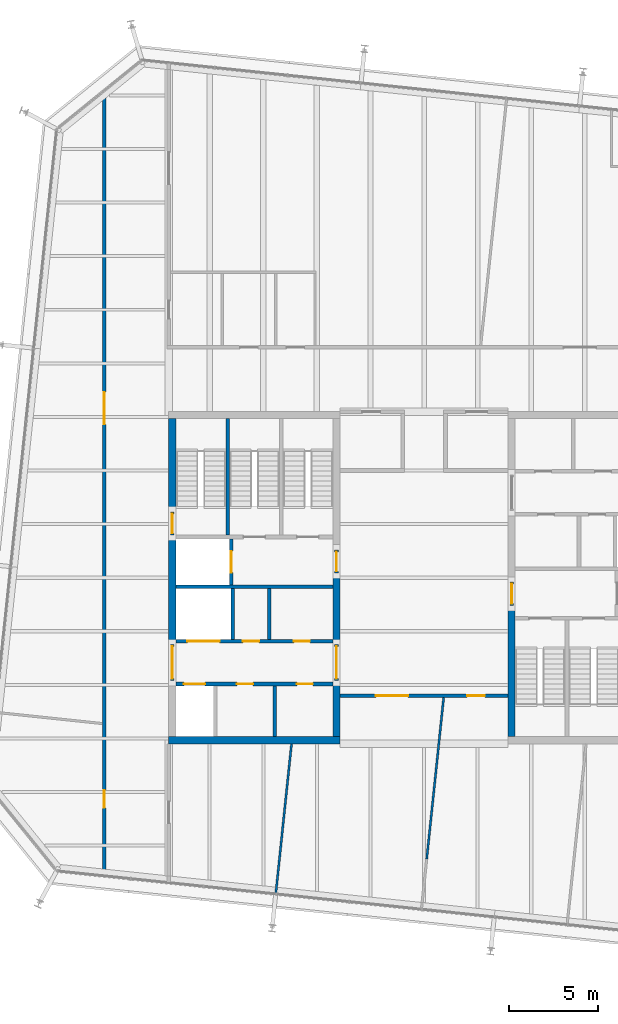
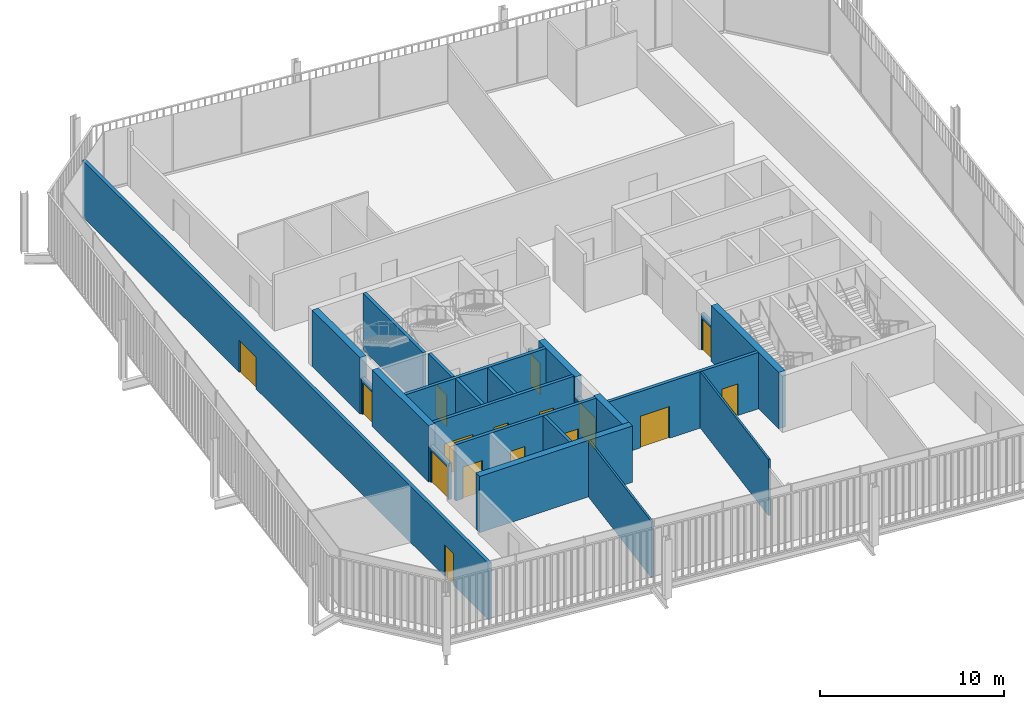
# One storey, part 16 of 20: 23 walls, 16 doors, 16 openings.
"""IFC4 building model written with IfcOpenShell, lengths in metres."""

from ifc_helpers import new_model, si_unit, direction, frame, frame_2d, origin, place, context, subcontext, project, spatial, rectangle, extrude, material, layer, layer_set, type_object, element, fill, save


model = new_model("IFC4")

# Units and contexts
model_context = context("Model", 3, precision=1e-05, world=origin(), true_north=direction((0.0, 1.0)))
body_context = subcontext(model_context, "Body", "Model", "MODEL_VIEW")
ifc_project = project(units=[si_unit("LENGTHUNIT", "METRE"), si_unit("AREAUNIT", "SQUARE_METRE"), si_unit("VOLUMEUNIT", "CUBIC_METRE"), si_unit("PLANEANGLEUNIT", "RADIAN"), si_unit("MASSUNIT", "GRAM", prefix="KILO")], contexts=[model_context])

# Site, building, storey
site_placement = place(None, origin())
site = spatial("IfcSite", under=ifc_project, at=site_placement, CompositionType="ELEMENT")
building_placement = place(site_placement, origin())
building = spatial("IfcBuilding", under=site, at=building_placement, Name="Millrace Tower", CompositionType="ELEMENT")
storey_placement = place(building_placement, frame((0.0, 0.0, 287.699951171875)))
storey = spatial("IfcBuildingStorey", under=building, at=storey_placement, Name="L66", CompositionType="ELEMENT", Elevation=287.699951171875)

# Walls
ifc_material_1 = material(Name="Concrete C60", Category="concrete")
ifc_layer_1 = layer(ifc_material_1, 0.39990234375)
ifc_layer_set_1 = layer_set([ifc_layer_1], Name="Concrete C60")
wall_type_1 = type_object("IfcWallType", Name="Core wall 400 Concrete C60", PredefinedType="SHEAR", material=ifc_layer_set_1)
wall_1_placement = place(storey_placement, frame((-14.300048828125, -9.10009765625, 0.0), z_axis=(0.0, 0.0, 1.0), x_axis=(1.0, 0.0, 0.0)))
element("IfcWall", 1, at=wall_1_placement, inside=storey, type_object=wall_type_1, Name="Core wall W L66", PredefinedType="SHEAR", context=body_context, shape_type="SweptSolid", body=[
    extrude(rectangle(XDim=9.60009765625, YDim=0.39990234375, at=frame_2d((4.800048828125, 0.0))), origin(), (0.0, 0.0, 1.0), 3.739990234375),
])
wall_2_placement = place(storey_placement, frame((-14.10009765625, -3.75, 0.0), z_axis=(0.0, 0.0, 1.0), x_axis=(0.0, 1.0, 0.0)))
element("IfcWall", 2, at=wall_2_placement, inside=storey, type_object=wall_type_1, Name="Core wall W L66", PredefinedType="SHEAR", context=body_context, shape_type="SweptSolid", body=[
    extrude(rectangle(XDim=6.1298828125, YDim=0.39990234375, at=frame_2d((3.06494140625, 0.0))), origin(), (0.0, 0.0, 1.0), 3.739990234375),
])
wall_3_placement = place(storey_placement, frame((-14.10009765625, 3.679931640625, 0.0), z_axis=(0.0, 0.0, 1.0), x_axis=(0.0, 1.0, 0.0)))
element("IfcWall", 3, at=wall_3_placement, inside=storey, type_object=wall_type_1, Name="Core wall W L66", PredefinedType="SHEAR", context=body_context, shape_type="SweptSolid", body=[
    extrude(rectangle(XDim=5.219970703125, YDim=0.39990234375, at=frame_2d((2.60986328125, 0.0))), origin(), (0.0, 0.0, 1.0), 3.739990234375),
])
wall_4_placement = place(storey_placement, frame((-4.89990234375, -8.89990234375, 0.0), z_axis=(0.0, 0.0, 1.0), x_axis=(0.0, 1.0, 0.0)))
element("IfcWall", 4, at=wall_4_placement, inside=storey, type_object=wall_type_1, Name="Core wall W L66", PredefinedType="SHEAR", context=body_context, shape_type="SweptSolid", body=[
    extrude(rectangle(XDim=3.14990234375, YDim=0.39990234375, at=frame_2d((1.574951171875, 0.0))), origin(), (0.0, 0.0, 1.0), 3.739990234375),
])
wall_5_placement = place(storey_placement, frame((-4.89990234375, -3.75, 0.0), z_axis=(0.0, 0.0, 1.0), x_axis=(0.0, 1.0, 0.0)))
element("IfcWall", 5, at=wall_5_placement, inside=storey, type_object=wall_type_1, Name="Core wall W L66", PredefinedType="SHEAR", context=body_context, shape_type="SweptSolid", body=[
    extrude(rectangle(XDim=4.0, YDim=0.39990234375, at=frame_2d((2.0, 0.0))), origin(), (0.0, 0.0, 1.0), 3.739990234375),
])
wall_6_placement = place(storey_placement, frame((4.89990234375, -1.550048828125, 0.0), z_axis=(0.0, 0.0, 1.0), x_axis=(0.0, -1.0, 0.0)))
element("IfcWall", 6, at=wall_6_placement, inside=storey, type_object=wall_type_1, Name="Core wall E L66", PredefinedType="SHEAR", context=body_context, shape_type="SweptSolid", body=[
    extrude(rectangle(XDim=7.349853515625, YDim=0.39990234375, at=frame_2d((3.6748046875, 0.0))), origin(), (0.0, 0.0, 1.0), 3.739990234375),
])

# Wall, openings, doors
ifc_material_2 = material(Name="Masonry partition, fire-rated", Category="masonry")
ifc_layer_2 = layer(ifc_material_2, 0.199951171875)
ifc_layer_set_2 = layer_set([ifc_layer_2], Name="Masonry partition, fire-rated")
wall_type_2 = type_object("IfcWallType", Name="Corridor wall 200", PredefinedType="PARTITIONING", material=ifc_layer_set_2)
wall_7_placement = place(storey_placement, frame((-4.699951171875, -6.60009765625, 0.0), z_axis=(0.0, 0.0, 1.0), x_axis=(1.0, 0.0, 0.0)))
wall_7 = element("IfcWall", 7, at=wall_7_placement, inside=storey, type_object=wall_type_2, Name="Corridor wall L66", PredefinedType="PARTITIONING", context=body_context, shape_type="SweptSolid", body=[
    extrude(rectangle(XDim=9.39990234375, YDim=0.199951171875, at=frame_2d((4.699951171875, 0.0))), origin(), (0.0, 0.0, 1.0), 3.739990234375),
])
opening_1_placement = place(wall_7_placement, frame((2.0048828125, 0.0, 0.0)))
opening_1 = element("IfcOpeningElement", 8, at=opening_1_placement, cuts=wall_7, Name="Opening 66-P010", PredefinedType="OPENING", context=body_context, shape_type="SweptSolid", body=[
    extrude(rectangle(XDim=1.800048828125, YDim=2.10009765625, at=frame_2d((0.89990234375, 1.050048828125))), frame((0.0, 0.10986328125, 0.0), z_axis=(0.0, -1.0, 0.0), x_axis=(1.0, 0.0, 0.0)), (0.0, 0.0, 1.0), 0.219970703125),
])
opening_2_placement = place(wall_7_placement, frame((7.10498046875, 0.0, 0.0)))
opening_2 = element("IfcOpeningElement", 9, at=opening_2_placement, cuts=wall_7, Name="Opening 66-P011", PredefinedType="OPENING", context=body_context, shape_type="SweptSolid", body=[
    extrude(rectangle(XDim=1.0, YDim=2.10009765625, at=frame_2d((0.5, 1.050048828125))), frame((0.0, 0.10986328125, 0.0), z_axis=(0.0, -1.0, 0.0), x_axis=(1.0, 0.0, 0.0)), (0.0, 0.0, 1.0), 0.219970703125),
])
ifc_material_3 = material(Name="Steel door set, fire-rated", Category="steel")
door_type_1 = type_object("IfcDoorType", Name="Corridor door 1000 x 2100", OperationType="SINGLE_SWING_LEFT", PredefinedType="DOOR", material=ifc_material_3)
door_1_placement = place(opening_2_placement, frame((1.0, 0.0, 0.0), z_axis=(0.0, 0.0, 1.0), x_axis=(-1.0, 0.0, 0.0)))
door_1 = element("IfcDoor", 10, at=door_1_placement, inside=storey, type_object=door_type_1, Name="Door 66-P011", OperationType="SINGLE_SWING_LEFT", OverallHeight=2.10009765625, OverallWidth=1.0, PredefinedType="DOOR", context=body_context, shape_type="SweptSolid", body=[
    extrude(rectangle(XDim=1.0, YDim=2.10009765625, at=frame_2d((0.5, 1.050048828125))), frame((0.0, 0.02490234375, 0.0), z_axis=(0.0, -1.0, 0.0), x_axis=(1.0, 0.0, 0.0)), (0.0, 0.0, 1.0), 0.050048828125),
])
fill(opening_2, door_1)
ifc_material_4 = material(Name="Steel door set, fire-rated", Category="steel")
door_type_2 = type_object("IfcDoorType", Name="Corridor door 1800 x 2100", OperationType="DOUBLE_DOOR_SINGLE_SWING", PredefinedType="DOOR", material=ifc_material_4)
door_2_placement = place(opening_1_placement, frame((1.800048828125, 0.0, 0.0), z_axis=(0.0, 0.0, 1.0), x_axis=(-1.0, 0.0, 0.0)))
door_2 = element("IfcDoor", 11, at=door_2_placement, inside=storey, type_object=door_type_2, Name="Door 66-P010", OperationType="DOUBLE_DOOR_SINGLE_SWING", OverallHeight=2.10009765625, OverallWidth=1.800048828125, PredefinedType="DOOR", context=body_context, shape_type="SweptSolid", body=[
    extrude(rectangle(XDim=1.800048828125, YDim=2.10009765625, at=frame_2d((0.89990234375, 1.050048828125))), frame((0.0, 0.02490234375, 0.0), z_axis=(0.0, -1.0, 0.0), x_axis=(1.0, 0.0, 0.0)), (0.0, 0.0, 1.0), 0.050048828125),
])
fill(opening_1, door_2)

wall_8_placement = place(storey_placement, frame((-17.89990234375, -16.653076171875, 0.0), z_axis=(0.0, 0.0, 1.0), x_axis=(0.0, 1.0, 0.0)))
wall_8 = element("IfcWall", 12, at=wall_8_placement, inside=storey, type_object=wall_type_2, Name="Corridor wall L66", PredefinedType="PARTITIONING", context=body_context, shape_type="SweptSolid", body=[
    extrude(rectangle(XDim=44.071533203125, YDim=0.199951171875, at=frame_2d((22.03564453125, 0.0))), origin(), (0.0, 0.0, 1.0), 3.739990234375),
])
opening_3_placement = place(wall_8_placement, frame((3.76318359375, 0.0, 0.0)))
opening_3 = element("IfcOpeningElement", 13, at=opening_3_placement, cuts=wall_8, Name="Opening 66-P003", PredefinedType="OPENING", context=body_context, shape_type="SweptSolid", body=[
    extrude(rectangle(XDim=1.0, YDim=2.10009765625, at=frame_2d((0.5, 1.050048828125))), frame((0.0, 0.10986328125, 0.0), z_axis=(0.0, -1.0, 0.0), x_axis=(1.0, 0.0, 0.0)), (0.0, 0.0, 1.0), 0.219970703125),
])
opening_4_placement = place(wall_8_placement, frame((25.24169921875, 0.0, 0.0)))
opening_4 = element("IfcOpeningElement", 14, at=opening_4_placement, cuts=wall_8, Name="Opening 66-P004", PredefinedType="OPENING", context=body_context, shape_type="SweptSolid", body=[
    extrude(rectangle(XDim=1.800048828125, YDim=2.10009765625, at=frame_2d((0.89990234375, 1.050048828125))), frame((0.0, 0.10986328125, 0.0), z_axis=(0.0, -1.0, 0.0), x_axis=(1.0, 0.0, 0.0)), (0.0, 0.0, 1.0), 0.219970703125),
])
door_3_placement = place(opening_3_placement, origin())
door_3 = element("IfcDoor", 15, at=door_3_placement, inside=storey, type_object=door_type_1, Name="Door 66-P003", OperationType="SINGLE_SWING_LEFT", OverallHeight=2.10009765625, OverallWidth=1.0, PredefinedType="DOOR", context=body_context, shape_type="SweptSolid", body=[
    extrude(rectangle(XDim=1.0, YDim=2.10009765625, at=frame_2d((0.5, 1.050048828125))), frame((0.0, 0.02490234375, 0.0), z_axis=(0.0, -1.0, 0.0), x_axis=(1.0, 0.0, 0.0)), (0.0, 0.0, 1.0), 0.050048828125),
])
fill(opening_3, door_3)
door_4_placement = place(opening_4_placement, origin())
door_4 = element("IfcDoor", 16, at=door_4_placement, inside=storey, type_object=door_type_2, Name="Door 66-P004", OperationType="DOUBLE_DOOR_SINGLE_SWING", OverallHeight=2.10009765625, OverallWidth=1.800048828125, PredefinedType="DOOR", context=body_context, shape_type="SweptSolid", body=[
    extrude(rectangle(XDim=1.800048828125, YDim=2.10009765625, at=frame_2d((0.89990234375, 1.050048828125))), frame((0.0, 0.02490234375, 0.0), z_axis=(0.0, -1.0, 0.0), x_axis=(1.0, 0.0, 0.0)), (0.0, 0.0, 1.0), 0.050048828125),
])
fill(opening_4, door_4)

ifc_material_5 = material(Name="Masonry partition, fire-rated", Category="masonry")
ifc_layer_3 = layer(ifc_material_5, 0.199951171875)
ifc_layer_set_3 = layer_set([ifc_layer_3], Name="Masonry partition, fire-rated")
wall_type_3 = type_object("IfcWallType", Name="Lift shaft wall 200", PredefinedType="PARTITIONING", material=ifc_layer_set_3)
wall_9_placement = place(storey_placement, frame((-13.89990234375, -5.949951171875, 0.0), z_axis=(0.0, 0.0, 1.0), x_axis=(1.0, 0.0, 0.0)))
wall_9 = element("IfcWall", 17, at=wall_9_placement, inside=storey, type_object=wall_type_3, Name="Lift shaft wall W L66", PredefinedType="PARTITIONING", context=body_context, shape_type="SweptSolid", body=[
    extrude(rectangle(XDim=8.7998046875, YDim=0.199951171875, at=frame_2d((4.39990234375, 0.0))), origin(), (0.0, 0.0, 1.0), 3.739990234375),
])
opening_5_placement = place(wall_9_placement, frame((0.449951171875, 0.0, 0.0)))
opening_5 = element("IfcOpeningElement", 18, at=opening_5_placement, cuts=wall_9, Name="Opening 66-LD01", PredefinedType="OPENING", context=body_context, shape_type="SweptSolid", body=[
    extrude(rectangle(XDim=1.199951171875, YDim=2.10009765625, at=frame_2d((0.60009765625, 1.050048828125))), frame((0.0, 0.10986328125, 0.0), z_axis=(0.0, -1.0, 0.0), x_axis=(1.0, 0.0, 0.0)), (0.0, 0.0, 1.0), 0.219970703125),
])
opening_6_placement = place(wall_9_placement, frame((3.425048828125, 0.0, 0.0)))
opening_6 = element("IfcOpeningElement", 19, at=opening_6_placement, cuts=wall_9, Name="Opening 66-C005", PredefinedType="OPENING", context=body_context, shape_type="SweptSolid", body=[
    extrude(rectangle(XDim=0.89990234375, YDim=2.10009765625, at=frame_2d((0.449951171875, 1.050048828125))), frame((0.0, 0.10986328125, 0.0), z_axis=(0.0, -1.0, 0.0), x_axis=(1.0, 0.0, 0.0)), (0.0, 0.0, 1.0), 0.219970703125),
])
opening_7_placement = place(wall_9_placement, frame((6.77490234375, 0.0, 0.0)))
opening_7 = element("IfcOpeningElement", 20, at=opening_7_placement, cuts=wall_9, Name="Opening 66-C006", PredefinedType="OPENING", context=body_context, shape_type="SweptSolid", body=[
    extrude(rectangle(XDim=0.89990234375, YDim=2.10009765625, at=frame_2d((0.449951171875, 1.050048828125))), frame((0.0, 0.10986328125, 0.0), z_axis=(0.0, -1.0, 0.0), x_axis=(1.0, 0.0, 0.0)), (0.0, 0.0, 1.0), 0.219970703125),
])
ifc_material_6 = material(Name="Stainless steel, fire-rated", Category="steel")
door_type_3 = type_object("IfcDoorType", Name="Lift landing door 1200 x 2100", OperationType="DOUBLE_DOOR_SLIDING", PredefinedType="DOOR", material=ifc_material_6)
door_5_placement = place(opening_5_placement, origin())
door_5 = element("IfcDoor", 21, at=door_5_placement, inside=storey, type_object=door_type_3, Name="Lift landing door LF1 L66", OperationType="DOUBLE_DOOR_SLIDING", OverallHeight=2.10009765625, OverallWidth=1.199951171875, PredefinedType="DOOR", context=body_context, shape_type="SweptSolid", body=[
    extrude(rectangle(XDim=1.199951171875, YDim=2.10009765625, at=frame_2d((0.60009765625, 1.050048828125))), frame((0.0, 0.02490234375, 0.0), z_axis=(0.0, -1.0, 0.0), x_axis=(1.0, 0.0, 0.0)), (0.0, 0.0, 1.0), 0.050048828125),
])
fill(opening_5, door_5)
ifc_material_7 = material(Name="Steel door, fire-rated", Category="steel")
door_type_4 = type_object("IfcDoorType", Name="Service room door 900 x 2100", OperationType="SINGLE_SWING_LEFT", PredefinedType="DOOR", material=ifc_material_7)
door_6_placement = place(opening_6_placement, frame((0.89990234375, 0.0, 0.0), z_axis=(0.0, 0.0, 1.0), x_axis=(-1.0, 0.0, 0.0)))
door_6 = element("IfcDoor", 22, at=door_6_placement, inside=storey, type_object=door_type_4, Name="Service room door 66-C005", OperationType="SINGLE_SWING_RIGHT", OverallHeight=2.10009765625, OverallWidth=0.89990234375, PredefinedType="DOOR", context=body_context, shape_type="SweptSolid", body=[
    extrude(rectangle(XDim=0.89990234375, YDim=2.10009765625, at=frame_2d((0.449951171875, 1.050048828125))), frame((0.0, 0.02490234375, 0.0), z_axis=(0.0, -1.0, 0.0), x_axis=(1.0, 0.0, 0.0)), (0.0, 0.0, 1.0), 0.050048828125),
])
fill(opening_6, door_6)
door_7_placement = place(opening_7_placement, frame((0.89990234375, 0.0, 0.0), z_axis=(0.0, 0.0, 1.0), x_axis=(-1.0, 0.0, 0.0)))
door_7 = element("IfcDoor", 23, at=door_7_placement, inside=storey, type_object=door_type_4, Name="Service room door 66-C006", OperationType="SINGLE_SWING_LEFT", OverallHeight=2.10009765625, OverallWidth=0.89990234375, PredefinedType="DOOR", context=body_context, shape_type="SweptSolid", body=[
    extrude(rectangle(XDim=0.89990234375, YDim=2.10009765625, at=frame_2d((0.449951171875, 1.050048828125))), frame((0.0, 0.02490234375, 0.0), z_axis=(0.0, -1.0, 0.0), x_axis=(1.0, 0.0, 0.0)), (0.0, 0.0, 1.0), 0.050048828125),
])
fill(opening_7, door_7)

wall_10_placement = place(storey_placement, frame((-13.89990234375, -3.550048828125, 0.0), z_axis=(0.0, 0.0, 1.0), x_axis=(1.0, 0.0, 0.0)))
wall_10 = element("IfcWall", 24, at=wall_10_placement, inside=storey, type_object=wall_type_3, Name="Lift shaft wall W L66", PredefinedType="PARTITIONING", context=body_context, shape_type="SweptSolid", body=[
    extrude(rectangle(XDim=8.7998046875, YDim=0.199951171875, at=frame_2d((4.39990234375, 0.0))), origin(), (0.0, 0.0, 1.0), 3.739990234375),
])
opening_8_placement = place(wall_10_placement, frame((0.64990234375, 0.0, 0.0)))
opening_8 = element("IfcOpeningElement", 25, at=opening_8_placement, cuts=wall_10, Name="Opening 66-LD05", PredefinedType="OPENING", context=body_context, shape_type="SweptSolid", body=[
    extrude(rectangle(XDim=1.800048828125, YDim=2.10009765625, at=frame_2d((0.89990234375, 1.050048828125))), frame((0.0, 0.10986328125, 0.0), z_axis=(0.0, -1.0, 0.0), x_axis=(1.0, 0.0, 0.0)), (0.0, 0.0, 1.0), 0.219970703125),
])
opening_9_placement = place(wall_10_placement, frame((3.762451171875, 0.0, 0.0)))
opening_9 = element("IfcOpeningElement", 26, at=opening_9_placement, cuts=wall_10, Name="Opening 66-C007", PredefinedType="OPENING", context=body_context, shape_type="SweptSolid", body=[
    extrude(rectangle(XDim=0.89990234375, YDim=2.10009765625, at=frame_2d((0.449951171875, 1.050048828125))), frame((0.0, 0.10986328125, 0.0), z_axis=(0.0, -1.0, 0.0), x_axis=(1.0, 0.0, 0.0)), (0.0, 0.0, 1.0), 0.219970703125),
])
opening_10_placement = place(wall_10_placement, frame((6.612548828125, 0.0, 0.0)))
opening_10 = element("IfcOpeningElement", 27, at=opening_10_placement, cuts=wall_10, Name="Opening 66-C008", PredefinedType="OPENING", context=body_context, shape_type="SweptSolid", body=[
    extrude(rectangle(XDim=0.89990234375, YDim=2.10009765625, at=frame_2d((0.449951171875, 1.050048828125))), frame((0.0, 0.10986328125, 0.0), z_axis=(0.0, -1.0, 0.0), x_axis=(1.0, 0.0, 0.0)), (0.0, 0.0, 1.0), 0.219970703125),
])
ifc_material_8 = material(Name="Stainless steel, fire-rated", Category="steel")
door_type_5 = type_object("IfcDoorType", Name="Lift landing door 1800 x 2100", OperationType="DOUBLE_DOOR_SLIDING", PredefinedType="DOOR", material=ifc_material_8)
door_8_placement = place(opening_8_placement, origin())
door_8 = element("IfcDoor", 28, at=door_8_placement, inside=storey, type_object=door_type_5, Name="Lift landing door LF5 L66", OperationType="DOUBLE_DOOR_SLIDING", OverallHeight=2.10009765625, OverallWidth=1.800048828125, PredefinedType="DOOR", context=body_context, shape_type="SweptSolid", body=[
    extrude(rectangle(XDim=1.800048828125, YDim=2.10009765625, at=frame_2d((0.89990234375, 1.050048828125))), frame((0.0, 0.02490234375, 0.0), z_axis=(0.0, -1.0, 0.0), x_axis=(1.0, 0.0, 0.0)), (0.0, 0.0, 1.0), 0.050048828125),
])
fill(opening_8, door_8)
door_9_placement = place(opening_9_placement, origin())
door_9 = element("IfcDoor", 29, at=door_9_placement, inside=storey, type_object=door_type_4, Name="Service room door 66-C007", OperationType="SINGLE_SWING_LEFT", OverallHeight=2.10009765625, OverallWidth=0.89990234375, PredefinedType="DOOR", context=body_context, shape_type="SweptSolid", body=[
    extrude(rectangle(XDim=0.89990234375, YDim=2.10009765625, at=frame_2d((0.449951171875, 1.050048828125))), frame((0.0, 0.02490234375, 0.0), z_axis=(0.0, -1.0, 0.0), x_axis=(1.0, 0.0, 0.0)), (0.0, 0.0, 1.0), 0.050048828125),
])
fill(opening_9, door_9)
door_10_placement = place(opening_10_placement, origin())
door_10 = element("IfcDoor", 30, at=door_10_placement, inside=storey, type_object=door_type_4, Name="Service room door 66-C008", OperationType="SINGLE_SWING_RIGHT", OverallHeight=2.10009765625, OverallWidth=0.89990234375, PredefinedType="DOOR", context=body_context, shape_type="SweptSolid", body=[
    extrude(rectangle(XDim=0.89990234375, YDim=2.10009765625, at=frame_2d((0.449951171875, 1.050048828125))), frame((0.0, 0.02490234375, 0.0), z_axis=(0.0, -1.0, 0.0), x_axis=(1.0, 0.0, 0.0)), (0.0, 0.0, 1.0), 0.050048828125),
])
fill(opening_10, door_10)

# Wall
wall_11_placement = place(storey_placement, frame((-13.89990234375, -0.5, 0.0), z_axis=(0.0, 0.0, 1.0), x_axis=(1.0, 0.0, 0.0)))
element("IfcWall", 31, at=wall_11_placement, inside=storey, type_object=wall_type_3, Name="Lift shaft wall W L66", PredefinedType="PARTITIONING", context=body_context, shape_type="SweptSolid", body=[
    extrude(rectangle(XDim=8.7998046875, YDim=0.199951171875, at=frame_2d((4.39990234375, 0.0))), origin(), (0.0, 0.0, 1.0), 3.739990234375),
])

# Wall, opening, door
wall_12_placement = place(storey_placement, frame((-10.800048828125, -0.39990234375, 0.0), z_axis=(0.0, 0.0, 1.0), x_axis=(0.0, 1.0, 0.0)))
wall_12 = element("IfcWall", 32, at=wall_12_placement, inside=storey, type_object=wall_type_3, Name="Lift shaft wall W L66", PredefinedType="PARTITIONING", context=body_context, shape_type="SweptSolid", body=[
    extrude(rectangle(XDim=2.579833984375, YDim=0.199951171875, at=frame_2d((1.2900390625, 0.0))), origin(), (0.0, 0.0, 1.0), 3.739990234375),
])
opening_11_placement = place(wall_12_placement, frame((0.68994140625, 0.0, 0.0)))
opening_11 = element("IfcOpeningElement", 33, at=opening_11_placement, cuts=wall_12, Name="Opening 66-LD08", PredefinedType="OPENING", context=body_context, shape_type="SweptSolid", body=[
    extrude(rectangle(XDim=1.199951171875, YDim=2.10009765625, at=frame_2d((0.60009765625, 1.050048828125))), frame((0.0, 0.10986328125, 0.0), z_axis=(0.0, -1.0, 0.0), x_axis=(1.0, 0.0, 0.0)), (0.0, 0.0, 1.0), 0.219970703125),
])
door_11_placement = place(opening_11_placement, origin())
door_11 = element("IfcDoor", 34, at=door_11_placement, inside=storey, type_object=door_type_3, Name="Lift landing door LF8 L66", OperationType="DOUBLE_DOOR_SLIDING", OverallHeight=2.10009765625, OverallWidth=1.199951171875, PredefinedType="DOOR", context=body_context, shape_type="SweptSolid", body=[
    extrude(rectangle(XDim=1.199951171875, YDim=2.10009765625, at=frame_2d((0.60009765625, 1.050048828125))), frame((0.0, 0.02490234375, 0.0), z_axis=(0.0, -1.0, 0.0), x_axis=(1.0, 0.0, 0.0)), (0.0, 0.0, 1.0), 0.050048828125),
])
fill(opening_11, door_11)

# Wall
wall_13_placement = place(storey_placement, frame((-10.699951171875, -3.449951171875, 0.0), z_axis=(0.0, 0.0, 1.0), x_axis=(0.0, 1.0, 0.0)))
element("IfcWall", 35, at=wall_13_placement, inside=storey, type_object=wall_type_3, Name="Lift shaft wall W L66", PredefinedType="PARTITIONING", context=body_context, shape_type="SweptSolid", body=[
    extrude(rectangle(XDim=2.849853515625, YDim=0.199951171875, at=frame_2d((1.4248046875, 0.0))), origin(), (0.0, 0.0, 1.0), 3.739990234375),
])

# Wall, opening, door
ifc_material_9 = material(Name="Masonry partition, fire-rated", Category="masonry")
ifc_layer_4 = layer(ifc_material_9, 0.199951171875)
ifc_layer_set_4 = layer_set([ifc_layer_4], Name="Masonry partition, fire-rated")
wall_type_4 = type_object("IfcWallType", Name="Lobby wall 200", PredefinedType="PARTITIONING", material=ifc_layer_set_4)
wall_14_placement = place(storey_placement, frame((-14.10009765625, -5.75, 0.0), z_axis=(0.0, 0.0, 1.0), x_axis=(0.0, 1.0, 0.0)))
wall_14 = element("IfcWall", 36, at=wall_14_placement, inside=storey, type_object=wall_type_4, Name="Lobby wall W L66", PredefinedType="PARTITIONING", context=body_context, shape_type="SweptSolid", body=[
    extrude(rectangle(XDim=2.0, YDim=0.199951171875, at=frame_2d((1.0, 0.0))), origin(), (0.0, 0.0, 1.0), 2.400146484375),
])
opening_12_placement = place(wall_14_placement, frame((0.10009765625, 0.0, 0.0)))
opening_12 = element("IfcOpeningElement", 37, at=opening_12_placement, cuts=wall_14, Name="Opening 66-C001", PredefinedType="OPENING", context=body_context, shape_type="SweptSolid", body=[
    extrude(rectangle(XDim=1.800048828125, YDim=2.10009765625, at=frame_2d((0.89990234375, 1.050048828125))), frame((0.0, 0.10986328125, 0.0), z_axis=(0.0, -1.0, 0.0), x_axis=(1.0, 0.0, 0.0)), (0.0, 0.0, 1.0), 0.219970703125),
])
ifc_material_10 = material(Name="Steel door, fire-rated", Category="steel")
door_type_6 = type_object("IfcDoorType", Name="Lobby door 1800 x 2100", OperationType="DOUBLE_DOOR_SINGLE_SWING", PredefinedType="DOOR", material=ifc_material_10)
door_12_placement = place(opening_12_placement, origin())
door_12 = element("IfcDoor", 38, at=door_12_placement, inside=storey, type_object=door_type_6, Name="Lobby door 66-C001", OperationType="DOUBLE_DOOR_SINGLE_SWING", OverallHeight=2.10009765625, OverallWidth=1.800048828125, PredefinedType="DOOR", context=body_context, shape_type="SweptSolid", body=[
    extrude(rectangle(XDim=1.800048828125, YDim=2.10009765625, at=frame_2d((0.89990234375, 1.050048828125))), frame((0.0, 0.02490234375, 0.0), z_axis=(0.0, -1.0, 0.0), x_axis=(1.0, 0.0, 0.0)), (0.0, 0.0, 1.0), 0.050048828125),
])
fill(opening_12, door_12)

wall_15_placement = place(storey_placement, frame((-4.89990234375, -5.75, 0.0), z_axis=(0.0, 0.0, 1.0), x_axis=(0.0, 1.0, 0.0)))
wall_15 = element("IfcWall", 39, at=wall_15_placement, inside=storey, type_object=wall_type_4, Name="Lobby wall W L66", PredefinedType="PARTITIONING", context=body_context, shape_type="SweptSolid", body=[
    extrude(rectangle(XDim=2.0, YDim=0.199951171875, at=frame_2d((1.0, 0.0))), origin(), (0.0, 0.0, 1.0), 2.400146484375),
])
opening_13_placement = place(wall_15_placement, frame((0.10009765625, 0.0, 0.0)))
opening_13 = element("IfcOpeningElement", 40, at=opening_13_placement, cuts=wall_15, Name="Opening 66-C003", PredefinedType="OPENING", context=body_context, shape_type="SweptSolid", body=[
    extrude(rectangle(XDim=1.800048828125, YDim=2.10009765625, at=frame_2d((0.89990234375, 1.050048828125))), frame((0.0, 0.10986328125, 0.0), z_axis=(0.0, -1.0, 0.0), x_axis=(1.0, 0.0, 0.0)), (0.0, 0.0, 1.0), 0.219970703125),
])
door_13_placement = place(opening_13_placement, frame((1.800048828125, 0.0, 0.0), z_axis=(0.0, 0.0, 1.0), x_axis=(-1.0, 0.0, 0.0)))
door_13 = element("IfcDoor", 41, at=door_13_placement, inside=storey, type_object=door_type_6, Name="Lobby door 66-C003", OperationType="DOUBLE_DOOR_SINGLE_SWING", OverallHeight=2.10009765625, OverallWidth=1.800048828125, PredefinedType="DOOR", context=body_context, shape_type="SweptSolid", body=[
    extrude(rectangle(XDim=1.800048828125, YDim=2.10009765625, at=frame_2d((0.89990234375, 1.050048828125))), frame((0.0, 0.02490234375, 0.0), z_axis=(0.0, -1.0, 0.0), x_axis=(1.0, 0.0, 0.0)), (0.0, 0.0, 1.0), 0.050048828125),
])
fill(opening_13, door_13)

wall_16_placement = place(storey_placement, frame((-4.89990234375, 0.25, 0.0), z_axis=(0.0, 0.0, 1.0), x_axis=(0.0, 1.0, 0.0)))
wall_16 = element("IfcWall", 42, at=wall_16_placement, inside=storey, type_object=wall_type_4, Name="Lobby wall W L66", PredefinedType="PARTITIONING", context=body_context, shape_type="SweptSolid", body=[
    extrude(rectangle(XDim=1.300048828125, YDim=0.199951171875, at=frame_2d((0.64990234375, 0.0))), origin(), (0.0, 0.0, 1.0), 2.400146484375),
])
opening_14_placement = place(wall_16_placement, frame((0.10009765625, 0.0, 0.0)))
opening_14 = element("IfcOpeningElement", 43, at=opening_14_placement, cuts=wall_16, Name="Opening 66-C004", PredefinedType="OPENING", context=body_context, shape_type="SweptSolid", body=[
    extrude(rectangle(XDim=1.10009765625, YDim=2.10009765625, at=frame_2d((0.550048828125, 1.050048828125))), frame((0.0, 0.10986328125, 0.0), z_axis=(0.0, -1.0, 0.0), x_axis=(1.0, 0.0, 0.0)), (0.0, 0.0, 1.0), 0.219970703125),
])
ifc_material_11 = material(Name="Steel door, fire-rated", Category="steel")
door_type_7 = type_object("IfcDoorType", Name="Lobby door 1100 x 2100", OperationType="SINGLE_SWING_LEFT", PredefinedType="DOOR", material=ifc_material_11)
door_14_placement = place(opening_14_placement, frame((1.10009765625, 0.0, 0.0), z_axis=(0.0, 0.0, 1.0), x_axis=(-1.0, 0.0, 0.0)))
door_14 = element("IfcDoor", 44, at=door_14_placement, inside=storey, type_object=door_type_7, Name="Lobby door 66-C004", OperationType="SINGLE_SWING_RIGHT", OverallHeight=2.10009765625, OverallWidth=1.10009765625, PredefinedType="DOOR", context=body_context, shape_type="SweptSolid", body=[
    extrude(rectangle(XDim=1.10009765625, YDim=2.10009765625, at=frame_2d((0.550048828125, 1.050048828125))), frame((0.0, 0.02490234375, 0.0), z_axis=(0.0, -1.0, 0.0), x_axis=(1.0, 0.0, 0.0)), (0.0, 0.0, 1.0), 0.050048828125),
])
fill(opening_14, door_14)

wall_17_placement = place(storey_placement, frame((4.89990234375, -0.25, 0.0), z_axis=(0.0, 0.0, 1.0), x_axis=(0.0, -1.0, 0.0)))
wall_17 = element("IfcWall", 45, at=wall_17_placement, inside=storey, type_object=wall_type_4, Name="Lobby wall E L66", PredefinedType="PARTITIONING", context=body_context, shape_type="SweptSolid", body=[
    extrude(rectangle(XDim=1.300048828125, YDim=0.199951171875, at=frame_2d((0.64990234375, 0.0))), origin(), (0.0, 0.0, 1.0), 2.400146484375),
])
opening_15_placement = place(wall_17_placement, frame((0.10009765625, 0.0, 0.0)))
opening_15 = element("IfcOpeningElement", 46, at=opening_15_placement, cuts=wall_17, Name="Opening 66-C014", PredefinedType="OPENING", context=body_context, shape_type="SweptSolid", body=[
    extrude(rectangle(XDim=1.10009765625, YDim=2.10009765625, at=frame_2d((0.550048828125, 1.050048828125))), frame((0.0, 0.10986328125, 0.0), z_axis=(0.0, -1.0, 0.0), x_axis=(1.0, 0.0, 0.0)), (0.0, 0.0, 1.0), 0.219970703125),
])
door_15_placement = place(opening_15_placement, frame((1.10009765625, 0.0, 0.0), z_axis=(0.0, 0.0, 1.0), x_axis=(-1.0, 0.0, 0.0)))
door_15 = element("IfcDoor", 47, at=door_15_placement, inside=storey, type_object=door_type_7, Name="Lobby door 66-C014", OperationType="SINGLE_SWING_LEFT", OverallHeight=2.10009765625, OverallWidth=1.10009765625, PredefinedType="DOOR", context=body_context, shape_type="SweptSolid", body=[
    extrude(rectangle(XDim=1.10009765625, YDim=2.10009765625, at=frame_2d((0.550048828125, 1.050048828125))), frame((0.0, 0.02490234375, 0.0), z_axis=(0.0, -1.0, 0.0), x_axis=(1.0, 0.0, 0.0)), (0.0, 0.0, 1.0), 0.050048828125),
])
fill(opening_15, door_15)

# Walls
ifc_material_12 = material(Name="Gypsum board partition")
ifc_layer_5 = layer(ifc_material_12, 0.1201171875)
ifc_layer_set_5 = layer_set([ifc_layer_5], Name="Gypsum board partition")
wall_type_5 = type_object("IfcWallType", Name="Partition wall 120", PredefinedType="PARTITIONING", material=ifc_layer_set_5)
wall_18_placement = place(storey_placement, frame((0.148681640625, -15.74560546875, 0.0), z_axis=(0.0, 0.0, 1.0), x_axis=(0.104543668723, 0.994520297093, 0.0)))
element("IfcWall", 48, at=wall_18_placement, inside=storey, type_object=wall_type_5, Name="Partition wall L66", PredefinedType="PARTITIONING", context=body_context, shape_type="SweptSolid", body=[
    extrude(rectangle(XDim=9.095947265625, YDim=0.1201171875, at=frame_2d((4.5478515625, 0.0))), origin(), (0.0, 0.0, 1.0), 3.739990234375),
])
wall_19_placement = place(storey_placement, frame((-8.297119140625, -17.662353515625, 0.0), z_axis=(0.0, 0.0, 1.0), x_axis=(0.104441438294, 0.994531038212, 0.0)))
element("IfcWall", 49, at=wall_19_placement, inside=storey, type_object=wall_type_5, Name="Partition wall L66", PredefinedType="PARTITIONING", context=body_context, shape_type="SweptSolid", body=[
    extrude(rectangle(XDim=8.408203125, YDim=0.1201171875, at=frame_2d((4.2041015625, 0.0))), origin(), (0.0, 0.0, 1.0), 3.739990234375),
])
ifc_material_13 = material(Name="Masonry partition, fire-rated", Category="masonry")
ifc_layer_6 = layer(ifc_material_13, 0.199951171875)
ifc_layer_set_6 = layer_set([ifc_layer_6], Name="Masonry partition, fire-rated")
wall_type_6 = type_object("IfcWallType", Name="Room partition 200", PredefinedType="PARTITIONING", material=ifc_layer_set_6)
for number, where, z_axis, x_axis, name in (
    (50, (-8.35009765625, -8.89990234375, 0.0), (0.0, 0.0, 1.0), (0.0, 1.0, 0.0), "Room partition W L66"),
    (51, (-8.675048828125, -3.449951171875, 0.0), (0.0, 0.0, 1.0), (0.0, 1.0, 0.0), "Room partition W L66"),
):
    element("IfcWall", number, at=place(storey_placement, frame(where, z_axis=z_axis, x_axis=x_axis)), inside=storey, type_object=wall_type_6, Name=name, PredefinedType="PARTITIONING", context=body_context, shape_type="SweptSolid", body=[
        extrude(rectangle(XDim=2.849853515625, YDim=0.199951171875, at=frame_2d((1.4248046875, 0.0))), origin(), (0.0, 0.0, 1.0), 3.739990234375),
    ])

# Wall, opening, door
ifc_material_14 = material(Name="Concrete C40", Category="concrete")
ifc_layer_7 = layer(ifc_material_14, 0.199951171875)
ifc_layer_set_7 = layer_set([ifc_layer_7], Name="Concrete C40")
wall_type_7 = type_object("IfcWallType", Name="Stair enclosure wall 200 Concrete C40", PredefinedType="SHEAR", material=ifc_layer_set_7)
wall_20_placement = place(storey_placement, frame((-14.10009765625, 2.3798828125, 0.0), z_axis=(0.0, 0.0, 1.0), x_axis=(0.0, 1.0, 0.0)))
wall_20 = element("IfcWall", 52, at=wall_20_placement, inside=storey, type_object=wall_type_7, Name="Stair enclosure wall W L66", PredefinedType="SHEAR", context=body_context, shape_type="SweptSolid", body=[
    extrude(rectangle(XDim=1.300048828125, YDim=0.199951171875, at=frame_2d((0.64990234375, 0.0))), origin(), (0.0, 0.0, 1.0), 2.400146484375),
])
opening_16_placement = place(wall_20_placement, frame((0.10009765625, 0.0, 0.0)))
opening_16 = element("IfcOpeningElement", 53, at=opening_16_placement, cuts=wall_20, Name="Opening 66-C002", PredefinedType="OPENING", context=body_context, shape_type="SweptSolid", body=[
    extrude(rectangle(XDim=1.10009765625, YDim=2.10009765625, at=frame_2d((0.550048828125, 1.050048828125))), frame((0.0, 0.10986328125, 0.0), z_axis=(0.0, -1.0, 0.0), x_axis=(1.0, 0.0, 0.0)), (0.0, 0.0, 1.0), 0.219970703125),
])
ifc_material_15 = material(Name="Steel door, fire-rated", Category="steel")
door_type_8 = type_object("IfcDoorType", Name="Stair door 1100 x 2100", OperationType="SINGLE_SWING_LEFT", PredefinedType="DOOR", material=ifc_material_15)
door_16_placement = place(opening_16_placement, origin())
door_16 = element("IfcDoor", 54, at=door_16_placement, inside=storey, type_object=door_type_8, Name="Stair door 66-C002", OperationType="SINGLE_SWING_RIGHT", OverallHeight=2.10009765625, OverallWidth=1.10009765625, PredefinedType="DOOR", context=body_context, shape_type="SweptSolid", body=[
    extrude(rectangle(XDim=1.10009765625, YDim=2.10009765625, at=frame_2d((0.550048828125, 1.050048828125))), frame((0.0, 0.02490234375, 0.0), z_axis=(0.0, -1.0, 0.0), x_axis=(1.0, 0.0, 0.0)), (0.0, 0.0, 1.0), 0.050048828125),
])
fill(opening_16, door_16)

# Wall
wall_21_placement = place(storey_placement, frame((-11.0, 2.3798828125, 0.0), z_axis=(0.0, 0.0, 1.0), x_axis=(0.0, 1.0, 0.0)))
element("IfcWall", 55, at=wall_21_placement, inside=storey, type_object=wall_type_7, Name="Stair enclosure wall W L66", PredefinedType="SHEAR", context=body_context, shape_type="SweptSolid", body=[
    extrude(rectangle(XDim=6.52001953125, YDim=0.199951171875, at=frame_2d((3.260009765625, 0.0))), origin(), (0.0, 0.0, 1.0), 3.739990234375),
])

save(model, "model.ifc")
